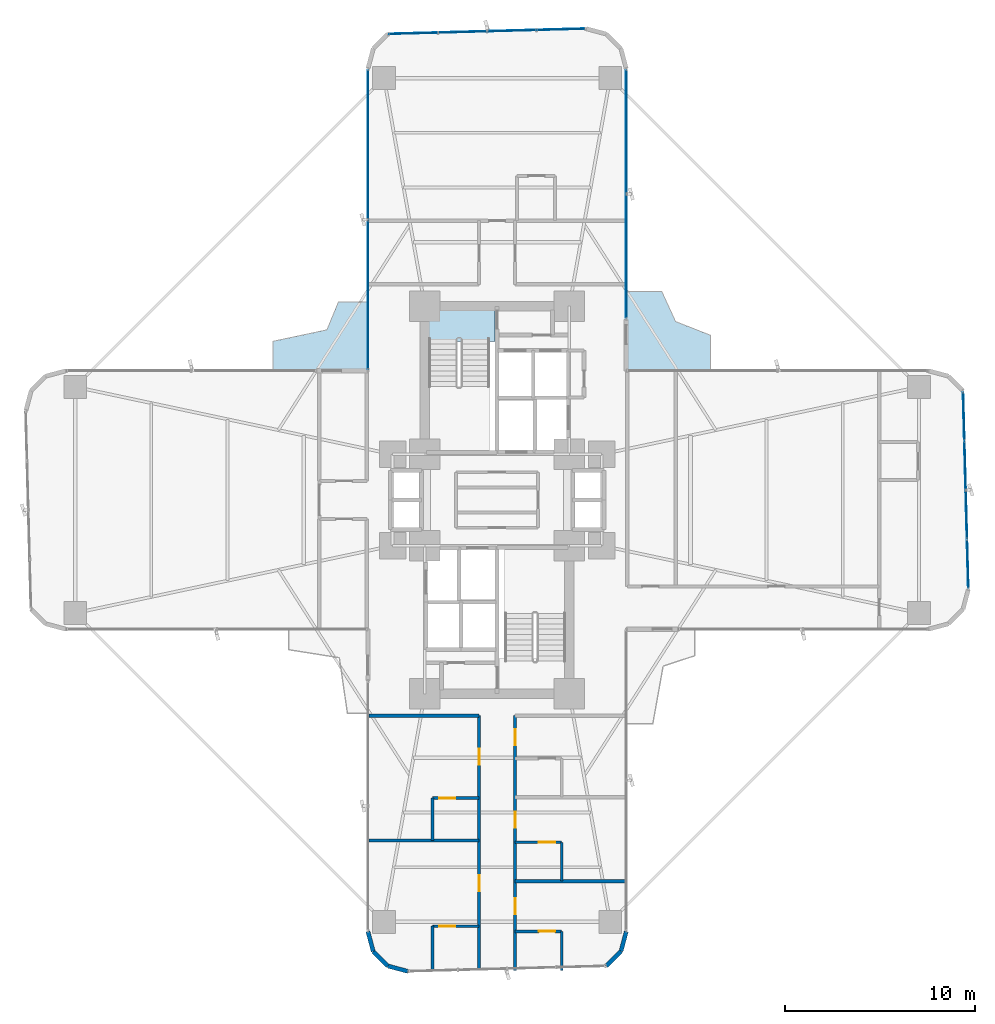
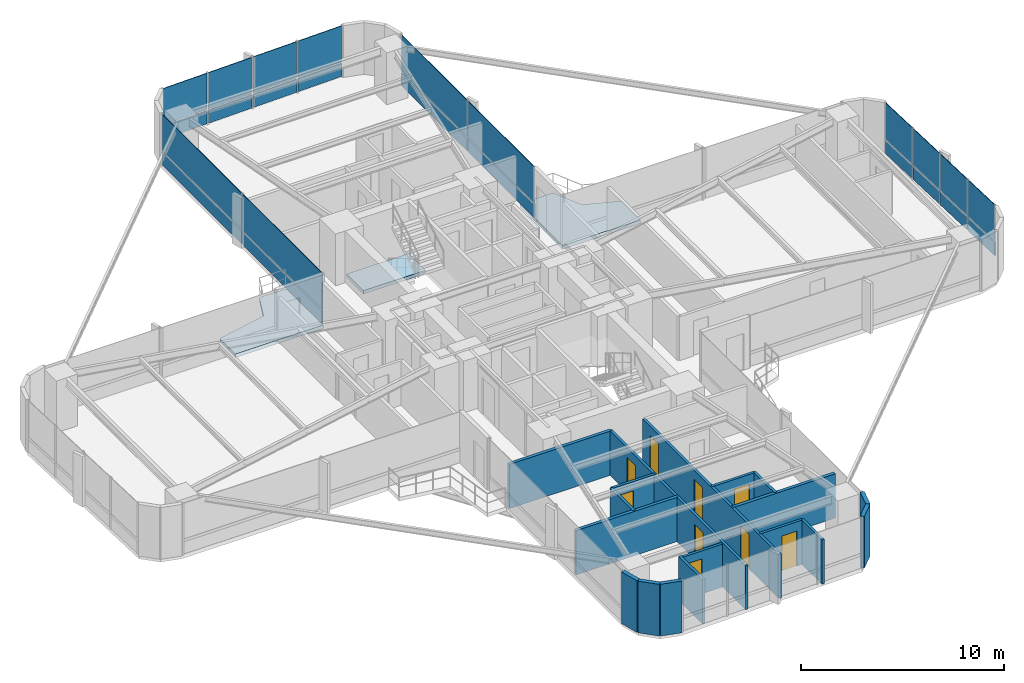
# One storey, part 21 of 25: 24 plates, 18 walls, 9 doors, 3 slabs, 9 openings, 4 elements without a shape of their own.
"""IFC4 building model written with IfcOpenShell, lengths in metres."""

from ifc_helpers import new_model, si_unit, direction, frame, frame_2d, origin, origin_2d, place, context, subcontext, project, spatial, polyline, rectangle, outline, extrude, source, transform, mapped, material, layer, layer_set, type_object, element, fill, aggregate, save


model = new_model("IFC4")

# Units and contexts
model_context = context("Model", 3, precision=1e-05, world=origin(), true_north=direction((0.0, 1.0)))
body_context = subcontext(model_context, "Body", "Model", "MODEL_VIEW")
ifc_project = project(units=[si_unit("LENGTHUNIT", "METRE"), si_unit("AREAUNIT", "SQUARE_METRE"), si_unit("VOLUMEUNIT", "CUBIC_METRE"), si_unit("PLANEANGLEUNIT", "RADIAN"), si_unit("MASSUNIT", "GRAM", prefix="KILO")], contexts=[model_context])

# Site, building, storey
site_placement = place(None, origin())
site = spatial("IfcSite", under=ifc_project, at=site_placement, CompositionType="ELEMENT")
building_placement = place(site_placement, origin())
building = spatial("IfcBuilding", under=site, at=building_placement, Name="Sahyath Konkavel Grand Hotel", CompositionType="ELEMENT")
storey_placement = place(building_placement, frame((0.0, 0.0, 64.449951171875)))
storey = spatial("IfcBuildingStorey", under=building, at=storey_placement, Name="L17", CompositionType="ELEMENT", Elevation=64.449951171875)

# Slabs
ifc_material_1 = material(Name="Concrete C40/50", Category="concrete")
ifc_layer_1 = layer(ifc_material_1, 0.219970703125)
ifc_layer_set_1 = layer_set([ifc_layer_1], Name="Concrete C40/50")
slab_type_1 = type_object("IfcSlabType", Name="SLB-BALCONY-220", PredefinedType="FLOOR", material=ifc_layer_set_1)
slab_1_placement = place(storey_placement, frame((0.0, 0.0, -0.219970703125)))
element("IfcSlab", 1, at=slab_1_placement, inside=storey, type_object=slab_type_1, Name="L17 Winter-Garden Balcony NE", PredefinedType="FLOOR", context=body_context, shape_type="SweptSolid", body=[
    extrude(outline(polyline([(6.800048828125, 6.800048828125), (11.23095703125, 6.800048828125), (11.23095703125, 8.664794921875), (9.389892578125, 9.389892578125), (8.664794921875, 10.968994140625), (6.800048828125, 10.968994140625), (6.800048828125, 6.800048828125)])), origin(), (0.0, 0.0, 1.0), 0.219970703125),
])
slab_2_placement = place(storey_placement, frame((0.0, 0.0, -0.219970703125)))
element("IfcSlab", 2, at=slab_2_placement, inside=storey, type_object=slab_type_1, Name="L17 Winter-Garden Balcony NW", PredefinedType="FLOOR", context=body_context, shape_type="SweptSolid", body=[
    extrude(outline(polyline([(-6.800048828125, 6.800048828125), (-6.800048828125, 10.412109375), (-8.35009765625, 10.412109375), (-8.952880859375, 8.952880859375), (-11.7880859375, 8.35009765625), (-11.7880859375, 6.800048828125), (-6.800048828125, 6.800048828125)])), origin(), (0.0, 0.0, 1.0), 0.219970703125),
])
ifc_layer_2 = layer(ifc_material_1, 0.199951171875)
ifc_layer_set_2 = layer_set([ifc_layer_2], Name="Concrete C40/50")
slab_type_2 = type_object("IfcSlabType", Name="SLB-STAIR-LND", PredefinedType="LANDING", material=ifc_layer_set_2)
slab_3_placement = place(storey_placement, frame((0.0, 0.0, -0.199951171875)))
element("IfcSlab", 3, at=slab_3_placement, inside=storey, type_object=slab_type_2, Name="L17 Stair ST-1 Floor Landing Slab", PredefinedType="LANDING", context=body_context, shape_type="SweptSolid", body=[
    extrude(outline(polyline([(-3.6201171875, 8.35009765625), (-0.10009765625, 8.35009765625), (-0.10009765625, 10.02001953125), (-3.6201171875, 10.02001953125), (-3.6201171875, 8.35009765625)])), origin(), (0.0, 0.0, 1.0), 0.199951171875),
])

# Curtain wall, plates
ifc_material_2 = material(Name="Anodised Bronze Aluminium & Low-E Glazing", Category="aluminium")
curtain_wall_type = type_object("IfcCurtainWallType", Name="CW-ZONE1", PredefinedType="NOTDEFINED", material=ifc_material_2)
curtain_wall_1_placement = place(storey_placement, origin())
curtain_wall_1 = element("IfcCurtainWall", 4, at=curtain_wall_1_placement, inside=storey, type_object=curtain_wall_type, Name="L17 Unitised Curtain Wall F15", PredefinedType="NOTDEFINED")
ifc_material_3 = material(Name="Warm Buff Sandstone Cladding", Category="masonry")
ifc_layer_3 = layer(ifc_material_3, 0.074951171875)
ifc_layer_set_3 = layer_set([ifc_layer_3], Name="Warm Buff Sandstone Cladding")
plate_type_1 = type_object("IfcPlateType", Name="PNL-SPANDREL-STONE", PredefinedType="SHEET", material=ifc_layer_set_3)
shared_shape_1 = source(origin(), body_context, "Body", "SweptSolid", [
    extrude(rectangle(XDim=7.830078125, YDim=0.074951171875, at=origin_2d()), origin(), (0.0, 0.0, 1.0), 0.77001953125),
])
plate_1_placement = place(storey_placement, frame((-6.800048828125, 18.705078125, 0.0400390625), z_axis=(0.0, 0.0, 1.0), x_axis=(0.0, -1.0, 0.0)))
plate_1 = element("IfcPlate", 5, at=plate_1_placement, type_object=plate_type_1, Name="L17 Sandstone Relief Spandrel Panel F15-0", PredefinedType="SHEET", context=body_context, shape_type="MappedRepresentation", body=[
    mapped(shared_shape_1, transform((0.0, 0.0, 0.0), scale=1.0)),
])
plate_2_placement = place(storey_placement, frame((-6.800048828125, 10.794921875, 0.0400390625), z_axis=(0.0, 0.0, 1.0), x_axis=(0.0, -1.0, 0.0)))
plate_2 = element("IfcPlate", 6, at=plate_2_placement, type_object=plate_type_1, Name="L17 Sandstone Relief Spandrel Panel F15-1", PredefinedType="SHEET", context=body_context, shape_type="MappedRepresentation", body=[
    mapped(shared_shape_1, transform((0.0, 0.0, 0.0), scale=1.0)),
])
ifc_material_4 = material(Name="Low-E Solar Control Double Glazing", Category="glass")
ifc_layer_4 = layer(ifc_material_4, 0.035888671875)
ifc_layer_set_4 = layer_set([ifc_layer_4], Name="Low-E Solar Control Double Glazing")
plate_type_2 = type_object("IfcPlateType", Name="PNL-VISION-LOWE", PredefinedType="CURTAIN_PANEL", material=ifc_layer_set_4)
shared_shape_2 = source(origin(), body_context, "Body", "SweptSolid", [
    extrude(rectangle(XDim=7.830078125, YDim=0.035888671875, at=origin_2d()), origin(), (0.0, 0.0, 1.0), 2.179931640625),
])
plate_3_placement = place(storey_placement, frame((-6.800048828125, 18.705078125, 0.89013671875), z_axis=(0.0, 0.0, 1.0), x_axis=(0.0, -1.0, 0.0)))
plate_3 = element("IfcPlate", 7, at=plate_3_placement, type_object=plate_type_2, Name="L17 Low-E Vision Glazing Panel F15-0", PredefinedType="CURTAIN_PANEL", context=body_context, shape_type="MappedRepresentation", body=[
    mapped(shared_shape_2, transform((0.0, 0.0, 0.0), scale=1.0)),
])
plate_4_placement = place(storey_placement, frame((-6.800048828125, 10.794921875, 0.89013671875), z_axis=(0.0, 0.0, 1.0), x_axis=(0.0, -1.0, 0.0)))
plate_4 = element("IfcPlate", 8, at=plate_4_placement, type_object=plate_type_2, Name="L17 Low-E Vision Glazing Panel F15-1", PredefinedType="CURTAIN_PANEL", context=body_context, shape_type="MappedRepresentation", body=[
    mapped(shared_shape_2, transform((0.0, 0.0, 0.0), scale=1.0)),
])
aggregate(curtain_wall_1, [plate_1, plate_3, plate_2, plate_4])

curtain_wall_2_placement = place(storey_placement, origin())
curtain_wall_2 = element("IfcCurtainWall", 9, at=curtain_wall_2_placement, inside=storey, type_object=curtain_wall_type, Name="L17 Unitised Curtain Wall F4", PredefinedType="NOTDEFINED")
shared_shape_3 = source(origin(), body_context, "Body", "SweptSolid", [
    extrude(rectangle(XDim=2.513427734375, YDim=0.074951171875, at=origin_2d()), origin(), (0.0, 0.0, 1.0), 0.77001953125),
])
plate_5_placement = place(storey_placement, frame((24.763916015625, -3.36376953125, 0.0400390625), z_axis=(0.0, 0.0, 1.0), x_axis=(-0.026909728301, 0.999637867691, 0.0)))
plate_5 = element("IfcPlate", 10, at=plate_5_placement, type_object=plate_type_1, Name="L17 Sandstone Relief Spandrel Panel F4-0", PredefinedType="SHEET", context=body_context, shape_type="MappedRepresentation", body=[
    mapped(shared_shape_3, transform((0.0, 0.0, 0.0), scale=1.0)),
])
plate_6_placement = place(storey_placement, frame((24.694091796875, -0.771240234375, 0.0400390625), z_axis=(0.0, 0.0, 1.0), x_axis=(-0.026909728301, 0.999637867691, 0.0)))
plate_6 = element("IfcPlate", 11, at=plate_6_placement, type_object=plate_type_1, Name="L17 Sandstone Relief Spandrel Panel F4-1", PredefinedType="SHEET", context=body_context, shape_type="MappedRepresentation", body=[
    mapped(shared_shape_3, transform((0.0, 0.0, 0.0), scale=1.0)),
])
plate_7_placement = place(storey_placement, frame((24.62451171875, 1.8212890625, 0.0400390625), z_axis=(0.0, 0.0, 1.0), x_axis=(-0.026909728301, 0.999637867691, 0.0)))
plate_7 = element("IfcPlate", 12, at=plate_7_placement, type_object=plate_type_1, Name="L17 Sandstone Relief Spandrel Panel F4-2", PredefinedType="SHEET", context=body_context, shape_type="MappedRepresentation", body=[
    mapped(shared_shape_3, transform((0.0, 0.0, 0.0), scale=1.0)),
])
plate_8_placement = place(storey_placement, frame((24.5546875, 4.413818359375, 0.0400390625), z_axis=(0.0, 0.0, 1.0), x_axis=(-0.026909728301, 0.999637867691, 0.0)))
plate_8 = element("IfcPlate", 13, at=plate_8_placement, type_object=plate_type_1, Name="L17 Sandstone Relief Spandrel Panel F4-3", PredefinedType="SHEET", context=body_context, shape_type="MappedRepresentation", body=[
    mapped(shared_shape_3, transform((0.0, 0.0, 0.0), scale=1.0)),
])

curtain_wall_3_placement = place(storey_placement, origin())
curtain_wall_3 = element("IfcCurtainWall", 14, at=curtain_wall_3_placement, inside=storey, type_object=curtain_wall_type, Name="L17 Unitised Curtain Wall F12", PredefinedType="NOTDEFINED")
plate_9_placement = place(storey_placement, frame((3.36376953125, 24.763916015625, 0.0400390625), z_axis=(0.0, 0.0, 1.0), x_axis=(-0.999637867691, -0.026909728301, 0.0)))
plate_9 = element("IfcPlate", 15, at=plate_9_placement, type_object=plate_type_1, Name="L17 Sandstone Relief Spandrel Panel F12-0", PredefinedType="SHEET", context=body_context, shape_type="MappedRepresentation", body=[
    mapped(shared_shape_3, transform((0.0, 0.0, 0.0), scale=1.0)),
])
plate_10_placement = place(storey_placement, frame((0.771240234375, 24.694091796875, 0.0400390625), z_axis=(0.0, 0.0, 1.0), x_axis=(-0.999637867691, -0.026909728301, 0.0)))
plate_10 = element("IfcPlate", 16, at=plate_10_placement, type_object=plate_type_1, Name="L17 Sandstone Relief Spandrel Panel F12-1", PredefinedType="SHEET", context=body_context, shape_type="MappedRepresentation", body=[
    mapped(shared_shape_3, transform((0.0, 0.0, 0.0), scale=1.0)),
])
plate_11_placement = place(storey_placement, frame((-1.8212890625, 24.62451171875, 0.0400390625), z_axis=(0.0, 0.0, 1.0), x_axis=(-0.999637867691, -0.026909728301, 0.0)))
plate_11 = element("IfcPlate", 17, at=plate_11_placement, type_object=plate_type_1, Name="L17 Sandstone Relief Spandrel Panel F12-2", PredefinedType="SHEET", context=body_context, shape_type="MappedRepresentation", body=[
    mapped(shared_shape_3, transform((0.0, 0.0, 0.0), scale=1.0)),
])
plate_12_placement = place(storey_placement, frame((-4.413818359375, 24.5546875, 0.0400390625), z_axis=(0.0, 0.0, 1.0), x_axis=(-0.999637867691, -0.026909728301, 0.0)))
plate_12 = element("IfcPlate", 18, at=plate_12_placement, type_object=plate_type_1, Name="L17 Sandstone Relief Spandrel Panel F12-3", PredefinedType="SHEET", context=body_context, shape_type="MappedRepresentation", body=[
    mapped(shared_shape_3, transform((0.0, 0.0, 0.0), scale=1.0)),
])

# Plate
shared_shape_4 = source(origin(), body_context, "Body", "SweptSolid", [
    extrude(rectangle(XDim=2.513427734375, YDim=0.035888671875, at=origin_2d()), origin(), (0.0, 0.0, 1.0), 2.179931640625),
])
plate_13_placement = place(storey_placement, frame((24.763916015625, -3.36376953125, 0.89013671875), z_axis=(0.0, 0.0, 1.0), x_axis=(-0.026909728301, 0.999637867691, 0.0)))
plate_13 = element("IfcPlate", 19, at=plate_13_placement, type_object=plate_type_2, Name="L17 Low-E Vision Glazing Panel F4-0", PredefinedType="CURTAIN_PANEL", context=body_context, shape_type="MappedRepresentation", body=[
    mapped(shared_shape_4, transform((0.0, 0.0, 0.0), scale=1.0)),
])

plate_14_placement = place(storey_placement, frame((24.694091796875, -0.771240234375, 0.89013671875), z_axis=(0.0, 0.0, 1.0), x_axis=(-0.026909728301, 0.999637867691, 0.0)))
plate_14 = element("IfcPlate", 20, at=plate_14_placement, type_object=plate_type_2, Name="L17 Low-E Vision Glazing Panel F4-1", PredefinedType="CURTAIN_PANEL", context=body_context, shape_type="MappedRepresentation", body=[
    mapped(shared_shape_4, transform((0.0, 0.0, 0.0), scale=1.0)),
])

plate_15_placement = place(storey_placement, frame((24.62451171875, 1.8212890625, 0.89013671875), z_axis=(0.0, 0.0, 1.0), x_axis=(-0.026909728301, 0.999637867691, 0.0)))
plate_15 = element("IfcPlate", 21, at=plate_15_placement, type_object=plate_type_2, Name="L17 Low-E Vision Glazing Panel F4-2", PredefinedType="CURTAIN_PANEL", context=body_context, shape_type="MappedRepresentation", body=[
    mapped(shared_shape_4, transform((0.0, 0.0, 0.0), scale=1.0)),
])

plate_16_placement = place(storey_placement, frame((24.5546875, 4.413818359375, 0.89013671875), z_axis=(0.0, 0.0, 1.0), x_axis=(-0.026909728301, 0.999637867691, 0.0)))
plate_16 = element("IfcPlate", 22, at=plate_16_placement, type_object=plate_type_2, Name="L17 Low-E Vision Glazing Panel F4-3", PredefinedType="CURTAIN_PANEL", context=body_context, shape_type="MappedRepresentation", body=[
    mapped(shared_shape_4, transform((0.0, 0.0, 0.0), scale=1.0)),
])

aggregate(curtain_wall_2, [plate_5, plate_13, plate_6, plate_14, plate_7, plate_15, plate_8, plate_16])

plate_17_placement = place(storey_placement, frame((3.36376953125, 24.763916015625, 0.89013671875), z_axis=(0.0, 0.0, 1.0), x_axis=(-0.999637867691, -0.026909728301, 0.0)))
plate_17 = element("IfcPlate", 23, at=plate_17_placement, type_object=plate_type_2, Name="L17 Low-E Vision Glazing Panel F12-0", PredefinedType="CURTAIN_PANEL", context=body_context, shape_type="MappedRepresentation", body=[
    mapped(shared_shape_4, transform((0.0, 0.0, 0.0), scale=1.0)),
])

plate_18_placement = place(storey_placement, frame((0.771240234375, 24.694091796875, 0.89013671875), z_axis=(0.0, 0.0, 1.0), x_axis=(-0.999637867691, -0.026909728301, 0.0)))
plate_18 = element("IfcPlate", 24, at=plate_18_placement, type_object=plate_type_2, Name="L17 Low-E Vision Glazing Panel F12-1", PredefinedType="CURTAIN_PANEL", context=body_context, shape_type="MappedRepresentation", body=[
    mapped(shared_shape_4, transform((0.0, 0.0, 0.0), scale=1.0)),
])

plate_19_placement = place(storey_placement, frame((-1.8212890625, 24.62451171875, 0.89013671875), z_axis=(0.0, 0.0, 1.0), x_axis=(-0.999637867691, -0.026909728301, 0.0)))
plate_19 = element("IfcPlate", 25, at=plate_19_placement, type_object=plate_type_2, Name="L17 Low-E Vision Glazing Panel F12-2", PredefinedType="CURTAIN_PANEL", context=body_context, shape_type="MappedRepresentation", body=[
    mapped(shared_shape_4, transform((0.0, 0.0, 0.0), scale=1.0)),
])

plate_20_placement = place(storey_placement, frame((-4.413818359375, 24.5546875, 0.89013671875), z_axis=(0.0, 0.0, 1.0), x_axis=(-0.999637867691, -0.026909728301, 0.0)))
plate_20 = element("IfcPlate", 26, at=plate_20_placement, type_object=plate_type_2, Name="L17 Low-E Vision Glazing Panel F12-3", PredefinedType="CURTAIN_PANEL", context=body_context, shape_type="MappedRepresentation", body=[
    mapped(shared_shape_4, transform((0.0, 0.0, 0.0), scale=1.0)),
])

aggregate(curtain_wall_3, [plate_9, plate_17, plate_10, plate_18, plate_11, plate_19, plate_12, plate_20])

# Curtain wall, plates
curtain_wall_4_placement = place(storey_placement, origin())
curtain_wall_4 = element("IfcCurtainWall", 27, at=curtain_wall_4_placement, inside=storey, type_object=curtain_wall_type, Name="L17 Unitised Curtain Wall F8", PredefinedType="NOTDEFINED")
shared_shape_5 = source(origin(), body_context, "Body", "SweptSolid", [
    extrude(rectangle(XDim=6.47998046875, YDim=0.074951171875, at=origin_2d()), origin(), (0.0, 0.0, 1.0), 0.77001953125),
])
plate_21_placement = place(storey_placement, frame((6.800048828125, 12.820068359375, 0.0400390625), z_axis=(0.0, 0.0, 1.0), x_axis=(0.0, 1.0, 0.0)))
plate_21 = element("IfcPlate", 28, at=plate_21_placement, type_object=plate_type_1, Name="L17 Sandstone Relief Spandrel Panel F8-0", PredefinedType="SHEET", context=body_context, shape_type="MappedRepresentation", body=[
    mapped(shared_shape_5, transform((0.0, 0.0, 0.0), scale=1.0)),
])
plate_22_placement = place(storey_placement, frame((6.800048828125, 19.3798828125, 0.0400390625), z_axis=(0.0, 0.0, 1.0), x_axis=(0.0, 1.0, 0.0)))
plate_22 = element("IfcPlate", 29, at=plate_22_placement, type_object=plate_type_1, Name="L17 Sandstone Relief Spandrel Panel F8-1", PredefinedType="SHEET", context=body_context, shape_type="MappedRepresentation", body=[
    mapped(shared_shape_5, transform((0.0, 0.0, 0.0), scale=1.0)),
])
shared_shape_6 = source(origin(), body_context, "Body", "SweptSolid", [
    extrude(rectangle(XDim=6.47998046875, YDim=0.035888671875, at=origin_2d()), origin(), (0.0, 0.0, 1.0), 2.179931640625),
])
plate_23_placement = place(storey_placement, frame((6.800048828125, 12.820068359375, 0.89013671875), z_axis=(0.0, 0.0, 1.0), x_axis=(0.0, 1.0, 0.0)))
plate_23 = element("IfcPlate", 30, at=plate_23_placement, type_object=plate_type_2, Name="L17 Low-E Vision Glazing Panel F8-0", PredefinedType="CURTAIN_PANEL", context=body_context, shape_type="MappedRepresentation", body=[
    mapped(shared_shape_6, transform((0.0, 0.0, 0.0), scale=1.0)),
])
plate_24_placement = place(storey_placement, frame((6.800048828125, 19.3798828125, 0.89013671875), z_axis=(0.0, 0.0, 1.0), x_axis=(0.0, 1.0, 0.0)))
plate_24 = element("IfcPlate", 31, at=plate_24_placement, type_object=plate_type_2, Name="L17 Low-E Vision Glazing Panel F8-1", PredefinedType="CURTAIN_PANEL", context=body_context, shape_type="MappedRepresentation", body=[
    mapped(shared_shape_6, transform((0.0, 0.0, 0.0), scale=1.0)),
])
aggregate(curtain_wall_4, [plate_21, plate_23, plate_22, plate_24])

# Walls
ifc_material_5 = material(Name="Warm Buff Sandstone Insulated Concrete C40/50", Category="masonry")
ifc_layer_5 = layer(ifc_material_5, 0.219970703125)
ifc_layer_set_5 = layer_set([ifc_layer_5], Name="Warm Buff Sandstone Insulated Concrete C40/50")
wall_type_1 = type_object("IfcWallType", Name="WLL-BALC-THRESH", PredefinedType="STANDARD", material=ifc_layer_set_5)
for number, where, z_axis, x_axis, name in (
    (32, (-6.800048828125, -22.699951171875, 0.0), (0.0, 0.0, 1.0), (0.25872485917, -0.965951058412, 0.0), "L17 Rounded Corner Sandstone Pier 25"),
    (33, (-6.518798828125, -23.75, 0.0), (0.0, 0.0, 1.0), (0.707106781187, -0.707106781187, 0.0), "L17 Rounded Corner Sandstone Pier 26"),
    (34, (-5.75, -24.518798828125, 0.0), (0.0, 0.0, 1.0), (0.965951058412, -0.25872485917, 0.0), "L17 Rounded Corner Sandstone Pier 27"),
    (35, (5.75, -24.518798828125, 0.0), (0.0, 0.0, 1.0), (0.707106781187, 0.707106781187, 0.0), "L17 Rounded Corner Sandstone Pier 29"),
    (36, (6.518798828125, -23.75, 0.0), (0.0, 0.0, 1.0), (0.25872485917, 0.965951058412, 0.0), "L17 Rounded Corner Sandstone Pier 30"),
):
    element("IfcWall", number, at=place(storey_placement, frame(where, z_axis=z_axis, x_axis=x_axis)), inside=storey, type_object=wall_type_1, Name=name, PredefinedType="STANDARD", context=body_context, shape_type="SweptSolid", body=[
        extrude(rectangle(XDim=1.087158203125, YDim=0.219970703125, at=frame_2d((0.54345703125, 0.0))), origin(), (0.0, 0.0, 1.0), 3.110107421875),
    ])
ifc_material_6 = material(Name="Twin-Stud Acoustic Gypsum Plasterboard Partition")
ifc_layer_6 = layer(ifc_material_6, 0.179931640625)
ifc_layer_set_6 = layer_set([ifc_layer_6], Name="Twin-Stud Acoustic Gypsum Plasterboard Partition")
wall_type_2 = type_object("IfcWallType", Name="WLL-DEMISE-180", PredefinedType="PARTITIONING", material=ifc_layer_set_6)
for number, where, z_axis, x_axis, name in (
    (37, (-6.75, -11.35009765625, 0.0), (0.0, 0.0, 1.0), (1.0, 0.0, 0.0), "L17 Partition S-INR"),
    (38, (0.949951171875, -20.06005859375, 0.0), (0.0, 0.0, 1.0), (1.0, 0.0, 0.0), "L17 Partition S-S2L-DEM"),
    (39, (-0.949951171875, -17.916015625, 0.0), (0.0, 0.0, 1.0), (-1.0, 0.0, 0.0), "L17 Partition S-S1R-DEM"),
):
    element("IfcWall", number, at=place(storey_placement, frame(where, z_axis=z_axis, x_axis=x_axis)), inside=storey, type_object=wall_type_2, Name=name, PredefinedType="PARTITIONING", context=body_context, shape_type="SweptSolid", body=[
        extrude(rectangle(XDim=5.800048828125, YDim=0.179931640625, at=frame_2d((2.89990234375, 0.0))), origin(), (0.0, 0.0, 1.0), 2.66015625),
    ])

# Wall, openings, doors
ifc_material_7 = material(Name="Fire-Rated Gypsum Plasterboard Partition")
ifc_layer_7 = layer(ifc_material_7, 0.14990234375)
ifc_layer_set_7 = layer_set([ifc_layer_7], Name="Fire-Rated Gypsum Plasterboard Partition")
wall_type_3 = type_object("IfcWallType", Name="WLL-PART-150", PredefinedType="PARTITIONING", material=ifc_layer_set_7)
wall_1_placement = place(storey_placement, frame((0.949951171875, -11.35009765625, 0.0), z_axis=(0.0, 0.0, 1.0), x_axis=(0.0, -1.0, 0.0)))
wall_1 = element("IfcWall", 40, at=wall_1_placement, inside=storey, type_object=wall_type_3, Name="L17 Partition S-CL", PredefinedType="PARTITIONING", context=body_context, shape_type="SweptSolid", body=[
    extrude(rectangle(XDim=13.39990234375, YDim=0.14990234375, at=frame_2d((6.699951171875, 0.0))), origin(), (0.0, 0.0, 1.0), 2.66015625),
])
opening_1_placement = place(wall_1_placement, frame((0.699951171875, 0.0, 0.0)))
opening_1 = element("IfcOpeningElement", 41, at=opening_1_placement, cuts=wall_1, Name="Opening D-F06D", PredefinedType="OPENING", context=body_context, shape_type="SweptSolid", body=[
    extrude(rectangle(XDim=0.85009765625, YDim=2.10009765625, at=frame_2d((0.425048828125, 1.050048828125))), frame((0.0, 0.0849609375, 0.0), z_axis=(0.0, -1.0, 0.0), x_axis=(1.0, 0.0, 0.0)), (0.0, 0.0, 1.0), 0.169921875),
])
opening_2_placement = place(wall_1_placement, frame((5.049072265625, 0.0, 0.0)))
opening_2 = element("IfcOpeningElement", 42, at=opening_2_placement, cuts=wall_1, Name="Opening D-F06D", PredefinedType="OPENING", context=body_context, shape_type="SweptSolid", body=[
    extrude(rectangle(XDim=0.85009765625, YDim=2.10009765625, at=frame_2d((0.425048828125, 1.050048828125))), frame((0.0, 0.0849609375, 0.0), z_axis=(0.0, -1.0, 0.0), x_axis=(1.0, 0.0, 0.0)), (0.0, 0.0, 1.0), 0.169921875),
])
opening_3_placement = place(wall_1_placement, frame((9.60498046875, 0.0, 0.0)))
opening_3 = element("IfcOpeningElement", 43, at=opening_3_placement, cuts=wall_1, Name="Opening D-F06D", PredefinedType="OPENING", context=body_context, shape_type="SweptSolid", body=[
    extrude(rectangle(XDim=0.85009765625, YDim=2.10009765625, at=frame_2d((0.425048828125, 1.050048828125))), frame((0.0, 0.0849609375, 0.0), z_axis=(0.0, -1.0, 0.0), x_axis=(1.0, 0.0, 0.0)), (0.0, 0.0, 1.0), 0.169921875),
])
ifc_material_8 = material(Name="Fire-Rated Shaft Access Door")
door_type_1 = type_object("IfcDoorType", Name="DR-FD60-850", OperationType="NOTDEFINED", PredefinedType="DOOR", material=ifc_material_8)
shared_shape_7 = source(origin(), body_context, "Body", "SweptSolid", [
    extrude(rectangle(XDim=0.85009765625, YDim=0.050048828125, at=origin_2d()), origin(), (0.0, 0.0, 1.0), 2.10009765625),
])
door_1_placement = place(opening_1_placement, frame((0.425048828125, 0.0, 0.0)))
door_1 = element("IfcDoor", 44, at=door_1_placement, inside=storey, type_object=door_type_1, Name="L17 Door S-S1L-ED", OperationType="SINGLE_SWING_RIGHT", OverallHeight=2.10009765625, OverallWidth=0.85009765625, PredefinedType="DOOR", context=body_context, shape_type="MappedRepresentation", body=[
    mapped(shared_shape_7, transform((0.0, 0.0, 0.0), scale=1.0)),
])
fill(opening_1, door_1)
door_2_placement = place(opening_2_placement, frame((0.425048828125, 0.0, 0.0)))
door_2 = element("IfcDoor", 45, at=door_2_placement, inside=storey, type_object=door_type_1, Name="L17 Door S-S2L-ED", OperationType="SINGLE_SWING_RIGHT", OverallHeight=2.10009765625, OverallWidth=0.85009765625, PredefinedType="DOOR", context=body_context, shape_type="MappedRepresentation", body=[
    mapped(shared_shape_7, transform((0.0, 0.0, 0.0), scale=1.0)),
])
fill(opening_2, door_2)
door_3_placement = place(opening_3_placement, frame((0.425048828125, 0.0, 0.0)))
door_3 = element("IfcDoor", 46, at=door_3_placement, inside=storey, type_object=door_type_1, Name="L17 Door S-S3L-ED", OperationType="SINGLE_SWING_RIGHT", OverallHeight=2.10009765625, OverallWidth=0.85009765625, PredefinedType="DOOR", context=body_context, shape_type="MappedRepresentation", body=[
    mapped(shared_shape_7, transform((0.0, 0.0, 0.0), scale=1.0)),
])
fill(opening_3, door_3)

wall_2_placement = place(storey_placement, frame((-0.949951171875, -11.35009765625, 0.0), z_axis=(0.0, 0.0, 1.0), x_axis=(0.0, -1.0, 0.0)))
wall_2 = element("IfcWall", 47, at=wall_2_placement, inside=storey, type_object=wall_type_3, Name="L17 Partition S-CR", PredefinedType="PARTITIONING", context=body_context, shape_type="SweptSolid", body=[
    extrude(rectangle(XDim=13.39990234375, YDim=0.14990234375, at=frame_2d((6.699951171875, 0.0))), origin(), (0.0, 0.0, 1.0), 2.66015625),
])
opening_4_placement = place(wall_2_placement, frame((1.741943359375, 0.0, 0.0)))
opening_4 = element("IfcOpeningElement", 48, at=opening_4_placement, cuts=wall_2, Name="Opening D-F06D", PredefinedType="OPENING", context=body_context, shape_type="SweptSolid", body=[
    extrude(rectangle(XDim=0.85009765625, YDim=2.10009765625, at=frame_2d((0.425048828125, 1.050048828125))), frame((0.0, 0.0849609375, 0.0), z_axis=(0.0, -1.0, 0.0), x_axis=(1.0, 0.0, 0.0)), (0.0, 0.0, 1.0), 0.169921875),
])
opening_5_placement = place(wall_2_placement, frame((8.39599609375, 0.0, 0.0)))
opening_5 = element("IfcOpeningElement", 49, at=opening_5_placement, cuts=wall_2, Name="Opening D-F06D", PredefinedType="OPENING", context=body_context, shape_type="SweptSolid", body=[
    extrude(rectangle(XDim=0.85009765625, YDim=2.10009765625, at=frame_2d((0.425048828125, 1.050048828125))), frame((0.0, 0.0849609375, 0.0), z_axis=(0.0, -1.0, 0.0), x_axis=(1.0, 0.0, 0.0)), (0.0, 0.0, 1.0), 0.169921875),
])
door_4_placement = place(opening_4_placement, frame((0.425048828125, 0.0, 0.0)))
door_4 = element("IfcDoor", 50, at=door_4_placement, inside=storey, type_object=door_type_1, Name="L17 Door S-S1R-ED", OperationType="SINGLE_SWING_RIGHT", OverallHeight=2.10009765625, OverallWidth=0.85009765625, PredefinedType="DOOR", context=body_context, shape_type="MappedRepresentation", body=[
    mapped(shared_shape_7, transform((0.0, 0.0, 0.0), scale=1.0)),
])
fill(opening_4, door_4)
door_5_placement = place(opening_5_placement, frame((0.425048828125, 0.0, 0.0)))
door_5 = element("IfcDoor", 51, at=door_5_placement, inside=storey, type_object=door_type_1, Name="L17 Door S-S2R-ED", OperationType="SINGLE_SWING_RIGHT", OverallHeight=2.10009765625, OverallWidth=0.85009765625, PredefinedType="DOOR", context=body_context, shape_type="MappedRepresentation", body=[
    mapped(shared_shape_7, transform((0.0, 0.0, 0.0), scale=1.0)),
])
fill(opening_5, door_5)

# Wall, opening, door
wall_3_placement = place(storey_placement, frame((0.949951171875, -18.010009765625, 0.0), z_axis=(0.0, 0.0, 1.0), x_axis=(1.0, 0.0, 0.0)))
wall_3 = element("IfcWall", 52, at=wall_3_placement, inside=storey, type_object=wall_type_3, Name="L17 Partition S-S2L-BS", PredefinedType="PARTITIONING", context=body_context, shape_type="SweptSolid", body=[
    extrude(rectangle(XDim=2.449951171875, YDim=0.14990234375, at=frame_2d((1.22509765625, 0.0))), origin(), (0.0, 0.0, 1.0), 2.66015625),
])
opening_6_placement = place(wall_3_placement, frame((1.25, 0.0, 0.0)))
opening_6 = element("IfcOpeningElement", 53, at=opening_6_placement, cuts=wall_3, Name="Opening D-BT85", PredefinedType="OPENING", context=body_context, shape_type="SweptSolid", body=[
    extrude(rectangle(XDim=0.85009765625, YDim=2.10009765625, at=frame_2d((0.425048828125, 1.050048828125))), frame((0.0, 0.0849609375, 0.0), z_axis=(0.0, -1.0, 0.0), x_axis=(1.0, 0.0, 0.0)), (0.0, 0.0, 1.0), 0.169921875),
])
ifc_material_9 = material(Name="Moisture-Resistant Teak Bathroom Door")
door_type_2 = type_object("IfcDoorType", Name="DR-BATH-850", OperationType="NOTDEFINED", PredefinedType="DOOR", material=ifc_material_9)
door_6_placement = place(opening_6_placement, frame((0.425048828125, 0.0, 0.0)))
door_6 = element("IfcDoor", 54, at=door_6_placement, inside=storey, type_object=door_type_2, Name="L17 Door S-S2L-BD", OperationType="SINGLE_SWING_LEFT", OverallHeight=2.10009765625, OverallWidth=0.85009765625, PredefinedType="DOOR", context=body_context, shape_type="MappedRepresentation", body=[
    mapped(shared_shape_7, transform((0.0, 0.0, 0.0), scale=1.0)),
])
fill(opening_6, door_6)

# Wall
wall_4_placement = place(storey_placement, frame((3.39990234375, -18.010009765625, 0.0), z_axis=(0.0, 0.0, 1.0), x_axis=(0.0, -1.0, 0.0)))
element("IfcWall", 55, at=wall_4_placement, inside=storey, type_object=wall_type_3, Name="L17 Partition S-S2L-BF", PredefinedType="PARTITIONING", context=body_context, shape_type="SweptSolid", body=[
    extrude(rectangle(XDim=2.050048828125, YDim=0.14990234375, at=frame_2d((1.02490234375, 0.0))), origin(), (0.0, 0.0, 1.0), 2.66015625),
])

# Wall, opening, door
wall_5_placement = place(storey_placement, frame((0.949951171875, -22.699951171875, 0.0), z_axis=(0.0, 0.0, 1.0), x_axis=(1.0, 0.0, 0.0)))
wall_5 = element("IfcWall", 56, at=wall_5_placement, inside=storey, type_object=wall_type_3, Name="L17 Partition S-S3L-BS", PredefinedType="PARTITIONING", context=body_context, shape_type="SweptSolid", body=[
    extrude(rectangle(XDim=2.449951171875, YDim=0.14990234375, at=frame_2d((1.22509765625, 0.0))), origin(), (0.0, 0.0, 1.0), 2.66015625),
])
opening_7_placement = place(wall_5_placement, frame((1.25, 0.0, 0.0)))
opening_7 = element("IfcOpeningElement", 57, at=opening_7_placement, cuts=wall_5, Name="Opening D-BT85", PredefinedType="OPENING", context=body_context, shape_type="SweptSolid", body=[
    extrude(rectangle(XDim=0.85009765625, YDim=2.10009765625, at=frame_2d((0.425048828125, 1.050048828125))), frame((0.0, 0.0849609375, 0.0), z_axis=(0.0, -1.0, 0.0), x_axis=(1.0, 0.0, 0.0)), (0.0, 0.0, 1.0), 0.169921875),
])
door_7_placement = place(opening_7_placement, frame((0.425048828125, 0.0, 0.0)))
door_7 = element("IfcDoor", 58, at=door_7_placement, inside=storey, type_object=door_type_2, Name="L17 Door S-S3L-BD", OperationType="SINGLE_SWING_LEFT", OverallHeight=2.10009765625, OverallWidth=0.85009765625, PredefinedType="DOOR", context=body_context, shape_type="MappedRepresentation", body=[
    mapped(shared_shape_7, transform((0.0, 0.0, 0.0), scale=1.0)),
])
fill(opening_7, door_7)

# Wall
wall_6_placement = place(storey_placement, frame((3.39990234375, -22.699951171875, 0.0), z_axis=(0.0, 0.0, 1.0), x_axis=(0.0, -1.0, 0.0)))
element("IfcWall", 59, at=wall_6_placement, inside=storey, type_object=wall_type_3, Name="L17 Partition S-S3L-BF", PredefinedType="PARTITIONING", context=body_context, shape_type="SweptSolid", body=[
    extrude(rectangle(XDim=2.050048828125, YDim=0.14990234375, at=frame_2d((1.02490234375, 0.0))), origin(), (0.0, 0.0, 1.0), 2.66015625),
])

# Wall, opening, door
wall_7_placement = place(storey_placement, frame((-0.949951171875, -15.68408203125, 0.0), z_axis=(0.0, 0.0, 1.0), x_axis=(-1.0, 0.0, 0.0)))
wall_7 = element("IfcWall", 60, at=wall_7_placement, inside=storey, type_object=wall_type_3, Name="L17 Partition S-S1R-BS", PredefinedType="PARTITIONING", context=body_context, shape_type="SweptSolid", body=[
    extrude(rectangle(XDim=2.449951171875, YDim=0.14990234375, at=frame_2d((1.22509765625, 0.0))), origin(), (0.0, 0.0, 1.0), 2.66015625),
])
opening_8_placement = place(wall_7_placement, frame((1.25, 0.0, 0.0)))
opening_8 = element("IfcOpeningElement", 61, at=opening_8_placement, cuts=wall_7, Name="Opening D-BT85", PredefinedType="OPENING", context=body_context, shape_type="SweptSolid", body=[
    extrude(rectangle(XDim=0.85009765625, YDim=2.10009765625, at=frame_2d((0.425048828125, 1.050048828125))), frame((0.0, 0.0849609375, 0.0), z_axis=(0.0, -1.0, 0.0), x_axis=(1.0, 0.0, 0.0)), (0.0, 0.0, 1.0), 0.169921875),
])
door_8_placement = place(opening_8_placement, frame((0.425048828125, 0.0, 0.0)))
door_8 = element("IfcDoor", 62, at=door_8_placement, inside=storey, type_object=door_type_2, Name="L17 Door S-S1R-BD", OperationType="SINGLE_SWING_LEFT", OverallHeight=2.10009765625, OverallWidth=0.85009765625, PredefinedType="DOOR", context=body_context, shape_type="MappedRepresentation", body=[
    mapped(shared_shape_7, transform((0.0, 0.0, 0.0), scale=1.0)),
])
fill(opening_8, door_8)

# Wall
wall_8_placement = place(storey_placement, frame((-3.39990234375, -15.68408203125, 0.0), z_axis=(0.0, 0.0, 1.0), x_axis=(0.0, -1.0, 0.0)))
element("IfcWall", 63, at=wall_8_placement, inside=storey, type_object=wall_type_3, Name="L17 Partition S-S1R-BF", PredefinedType="PARTITIONING", context=body_context, shape_type="SweptSolid", body=[
    extrude(rectangle(XDim=2.23193359375, YDim=0.14990234375, at=frame_2d((1.115966796875, 0.0))), origin(), (0.0, 0.0, 1.0), 2.66015625),
])

# Wall, opening, door
wall_9_placement = place(storey_placement, frame((-0.949951171875, -22.426025390625, 0.0), z_axis=(0.0, 0.0, 1.0), x_axis=(-1.0, 0.0, 0.0)))
wall_9 = element("IfcWall", 64, at=wall_9_placement, inside=storey, type_object=wall_type_3, Name="L17 Partition S-S2R-BS", PredefinedType="PARTITIONING", context=body_context, shape_type="SweptSolid", body=[
    extrude(rectangle(XDim=2.449951171875, YDim=0.14990234375, at=frame_2d((1.22509765625, 0.0))), origin(), (0.0, 0.0, 1.0), 2.580078125),
])
opening_9_placement = place(wall_9_placement, frame((1.25, 0.0, 0.0)))
opening_9 = element("IfcOpeningElement", 65, at=opening_9_placement, cuts=wall_9, Name="Opening D-BT85", PredefinedType="OPENING", context=body_context, shape_type="SweptSolid", body=[
    extrude(rectangle(XDim=0.85009765625, YDim=2.10009765625, at=frame_2d((0.425048828125, 1.050048828125))), frame((0.0, 0.0849609375, 0.0), z_axis=(0.0, -1.0, 0.0), x_axis=(1.0, 0.0, 0.0)), (0.0, 0.0, 1.0), 0.169921875),
])
door_9_placement = place(opening_9_placement, frame((0.425048828125, 0.0, 0.0)))
door_9 = element("IfcDoor", 66, at=door_9_placement, inside=storey, type_object=door_type_2, Name="L17 Door S-S2R-BD", OperationType="SINGLE_SWING_LEFT", OverallHeight=2.10009765625, OverallWidth=0.85009765625, PredefinedType="DOOR", context=body_context, shape_type="MappedRepresentation", body=[
    mapped(shared_shape_7, transform((0.0, 0.0, 0.0), scale=1.0)),
])
fill(opening_9, door_9)

# Wall
wall_10_placement = place(storey_placement, frame((-3.39990234375, -22.426025390625, 0.0), z_axis=(0.0, 0.0, 1.0), x_axis=(0.0, -1.0, 0.0)))
element("IfcWall", 67, at=wall_10_placement, inside=storey, type_object=wall_type_3, Name="L17 Partition S-S2R-BF", PredefinedType="PARTITIONING", context=body_context, shape_type="SweptSolid", body=[
    extrude(rectangle(XDim=2.323974609375, YDim=0.14990234375, at=frame_2d((1.162109375, 0.0))), origin(), (0.0, 0.0, 1.0), 2.66015625),
])

save(model, "model.ifc")
